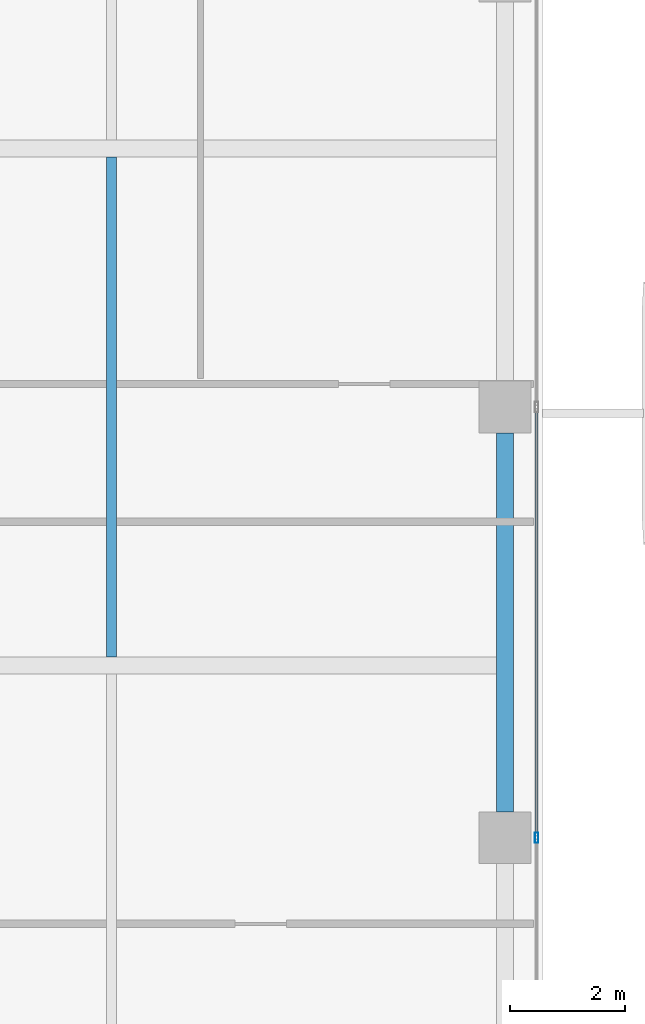
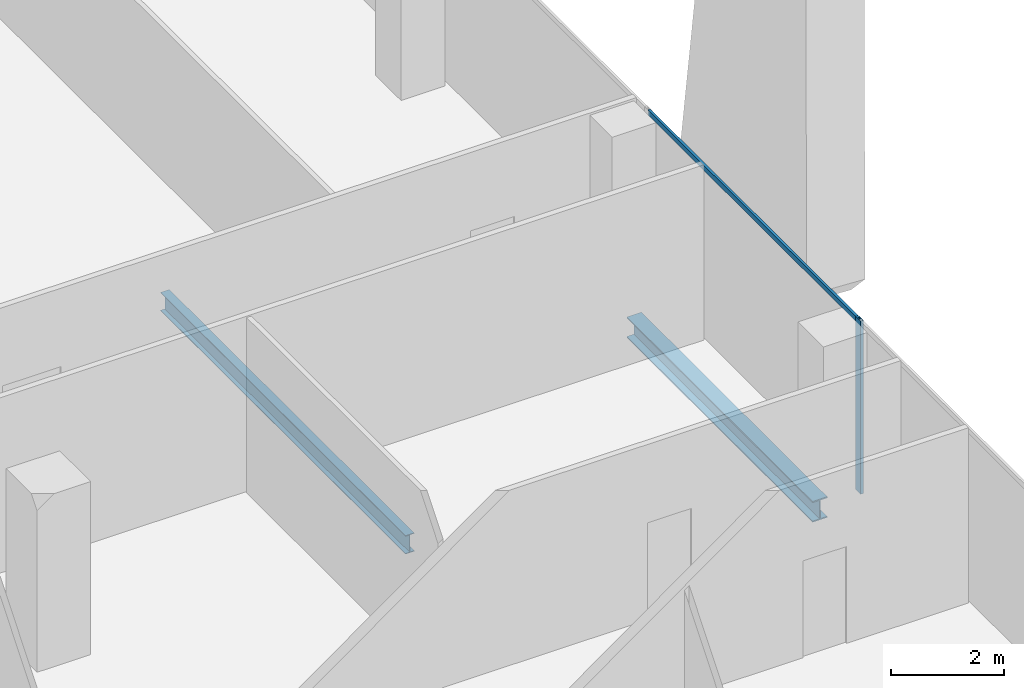
# One storey, part 12 of 36: 2 beams, 2 members, 1 element without a shape of its own.
"""IFC4 building model written with IfcOpenShell, lengths in metres."""

from ifc_helpers import new_model, si_unit, direction, frame, origin, origin_2d, place, context, subcontext, project, spatial, hollow_rectangle, i_section, extrude, source, transform, mapped, material, material_profile, profile_set, type_object, element, aggregate, save


model = new_model("IFC4")

# Units and contexts
model_context = context("Model", 3, precision=1e-05, world=origin(), true_north=direction((0.0, 1.0)))
body_context = subcontext(model_context, "Body", "Model", "MODEL_VIEW")
ifc_project = project(units=[si_unit("LENGTHUNIT", "METRE"), si_unit("AREAUNIT", "SQUARE_METRE"), si_unit("VOLUMEUNIT", "CUBIC_METRE"), si_unit("PLANEANGLEUNIT", "RADIAN"), si_unit("MASSUNIT", "GRAM", prefix="KILO")], contexts=[model_context])

# Site, building, storey
site_placement = place(None, origin())
site = spatial("IfcSite", under=ifc_project, at=site_placement, CompositionType="ELEMENT")
building_placement = place(site_placement, origin())
building = spatial("IfcBuilding", under=site, at=building_placement, Name="Khomas Fold Tower", CompositionType="ELEMENT")
storey_placement = place(building_placement, frame((0.0, 0.0, 238.199951171875)))
storey = spatial("IfcBuildingStorey", under=building, at=storey_placement, Name="L53", CompositionType="ELEMENT", Elevation=238.199951171875)

# Beams
ifc_material_1 = material(Name="Steel S355", Category="steel")
ifc_material_profile_1 = material_profile(ifc_material_1, i_section(OverallWidth=0.179931640625, OverallDepth=0.39990234375, WebThickness=0.008544921875, FlangeThickness=0.013427734375, at=origin_2d()), Name="IPE 400")
ifc_profile_set_1 = profile_set([ifc_material_profile_1], Name="Steel S355")
beam_type_1 = type_object("IfcBeamType", Name="IPE 400 beam JB3", PredefinedType="BEAM", material=ifc_profile_set_1)
shared_shape_1 = source(origin(), body_context, "Body", "SweptSolid", [
    extrude(i_section(OverallWidth=0.179931640625, OverallDepth=0.39990234375, WebThickness=0.008544921875, FlangeThickness=0.013427734375, at=origin_2d()), origin(), (0.0, 0.0, 1.0), 8.7001953125),
])
beam_1_placement = place(storey_placement, frame((42.0, 22.64990234375, -0.449951171875), z_axis=(0.0, 1.0, 0.0), x_axis=(-1.0, 0.0, 0.0)))
element("IfcBeam", 1, at=beam_1_placement, inside=storey, type_object=beam_type_1, Name="JB3", PredefinedType="BEAM", context=body_context, shape_type="MappedRepresentation", body=[
    mapped(shared_shape_1, transform((0.0, 0.0, 0.0))),
])
ifc_material_2 = material(Name="Steel S355", Category="steel")
ifc_material_profile_2 = material_profile(ifc_material_2, i_section(OverallWidth=0.300048828125, OverallDepth=0.449951171875, WebThickness=0.013916015625, FlangeThickness=0.02587890625, at=origin_2d()), Name="HE 450 B")
ifc_profile_set_2 = profile_set([ifc_material_profile_2], Name="Steel S355")
beam_type_2 = type_object("IfcBeamType", Name="HE 450 B spandrel SB4", PredefinedType="SPANDREL", material=ifc_profile_set_2)
shared_shape_2 = source(origin(), body_context, "Body", "SweptSolid", [
    extrude(i_section(OverallWidth=0.300048828125, OverallDepth=0.449951171875, WebThickness=0.013916015625, FlangeThickness=0.02587890625, at=origin_2d()), origin(), (0.0, 0.0, 1.0), 6.60009765625),
])
beam_2_placement = place(storey_placement, frame((48.85009765625, 19.949951171875, -0.474853515625), z_axis=(0.0, 1.0, 0.0), x_axis=(-1.0, 0.0, 0.0)))
element("IfcBeam", 2, at=beam_2_placement, inside=storey, type_object=beam_type_2, Name="SB4", PredefinedType="SPANDREL", context=body_context, shape_type="MappedRepresentation", body=[
    mapped(shared_shape_2, transform((0.0, 0.0, 0.0))),
])

# Curtain wall, members
ifc_material_3 = material(Name="Aluminium framed double glazing", Category="aluminium")
curtain_wall_type = type_object("IfcCurtainWallType", Name="SK-Unitised clear-glass wall, office floors CW2", PredefinedType="NOTDEFINED", material=ifc_material_3)
curtain_wall_placement = place(storey_placement, origin())
curtain_wall = element("IfcCurtainWall", 3, at=curtain_wall_placement, inside=storey, type_object=curtain_wall_type, Name="CW2 run L53 03-0", PredefinedType="NOTDEFINED")
ifc_material_4 = material(Name="Aluminium", Category="aluminium")
ifc_material_profile_3 = material_profile(ifc_material_4, hollow_rectangle(XDim=0.06005859375, YDim=0.179931640625, WallThickness=0.00390625, at=origin_2d()), Name="SK-Unitised clear-glass wall, office floors mullion CW2-M")
ifc_profile_set_3 = profile_set([ifc_material_profile_3], Name="Aluminium")
member_type_1 = type_object("IfcMemberType", Name="SK-Unitised clear-glass wall, office floors mullion CW2-M", PredefinedType="MULLION", material=ifc_profile_set_3)
shared_shape_3 = source(origin(), body_context, "Body", "SweptSolid", [
    extrude(hollow_rectangle(XDim=0.06005859375, YDim=0.179931640625, WallThickness=0.00390625, at=origin_2d()), origin(), (0.0, 0.0, 1.0), 3.75),
])
member_1_placement = place(storey_placement, frame((49.39990234375, 19.5, 0.0), z_axis=(0.0, 0.0, 1.0), x_axis=(-1.0, 0.0, 0.0)))
member_1 = element("IfcMember", 4, at=member_1_placement, type_object=member_type_1, Name="CW2 mullion 3", PredefinedType="MULLION", context=body_context, shape_type="MappedRepresentation", body=[
    mapped(shared_shape_3, transform((0.0, 0.0, 0.0))),
])
ifc_material_5 = material(Name="Aluminium", Category="aluminium")
ifc_material_profile_4 = material_profile(ifc_material_5, hollow_rectangle(XDim=0.050048828125, YDim=0.110107421875, WallThickness=0.00390625, at=origin_2d()), Name="SK-Unitised clear-glass wall, office floors transom CW2-T")
ifc_profile_set_4 = profile_set([ifc_material_profile_4], Name="Aluminium")
member_type_2 = type_object("IfcMemberType", Name="SK-Unitised clear-glass wall, office floors transom CW2-T", PredefinedType="USERDEFINED", material=ifc_profile_set_4)
shared_shape_4 = source(origin(), body_context, "Body", "SweptSolid", [
    extrude(hollow_rectangle(XDim=0.050048828125, YDim=0.110107421875, WallThickness=0.00390625, at=origin_2d()), origin(), (0.0, 0.0, 1.0), 7.43994140625),
])
member_2_placement = place(storey_placement, frame((49.39990234375, 19.530029296875, 3.695068359375), z_axis=(0.0, 1.0, 0.0), x_axis=(-1.0, 0.0, 0.0)))
member_2 = element("IfcMember", 5, at=member_2_placement, type_object=member_type_2, Name="CW2 transom 3", ObjectType="TRANSOM", PredefinedType="USERDEFINED", context=body_context, shape_type="MappedRepresentation", body=[
    mapped(shared_shape_4, transform((0.0, 0.0, 0.0))),
])
aggregate(curtain_wall, [member_1, member_2])

save(model, "model.ifc")
